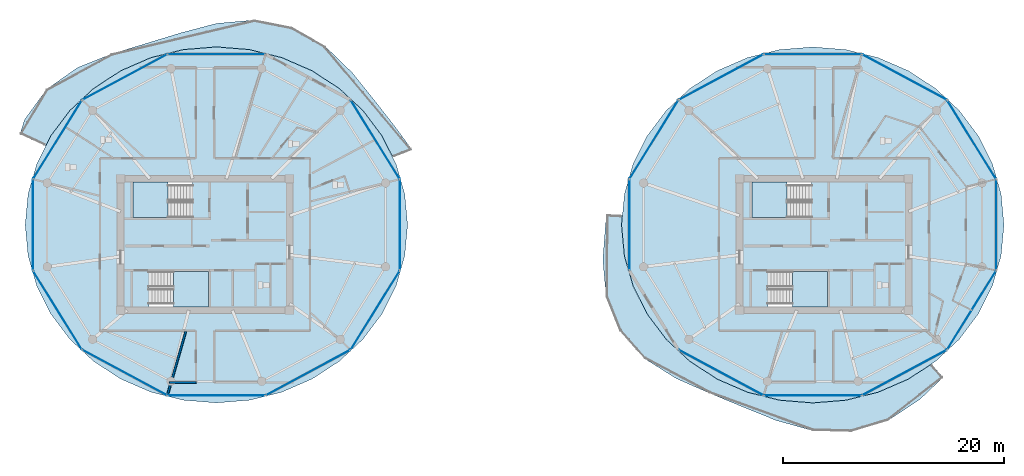
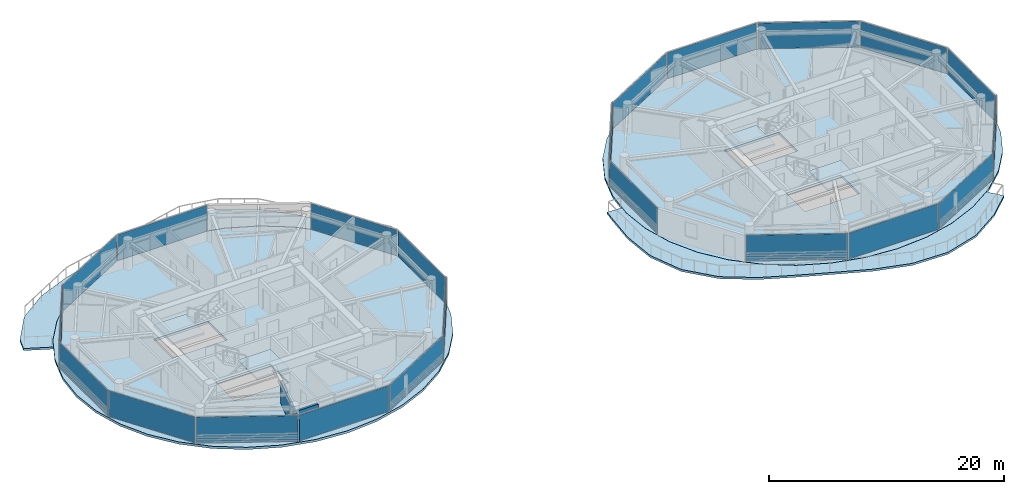
# One storey, part 11 of 21: 22 plates, 8 slabs, 2 walls, 26 elements without a shape of their own.
"""IFC4 building model written with IfcOpenShell, lengths in metres."""

from ifc_helpers import new_model, si_unit, direction, frame, frame_2d, origin, origin_2d, place, context, subcontext, project, spatial, polyline, rectangle, outline, extrude, source, transform, mapped, material, layer, layer_set, type_object, type_shapes, element, aggregate, save


model = new_model("IFC4")

# Units and contexts
model_context = context("Model", 3, precision=1e-05, world=origin(), true_north=direction((0.0, 1.0)))
body_context = subcontext(model_context, "Body", "Model", "MODEL_VIEW")
ifc_project = project(units=[si_unit("LENGTHUNIT", "METRE"), si_unit("AREAUNIT", "SQUARE_METRE"), si_unit("VOLUMEUNIT", "CUBIC_METRE"), si_unit("PLANEANGLEUNIT", "RADIAN"), si_unit("MASSUNIT", "GRAM", prefix="KILO")], contexts=[model_context])

# Site, building, storey
site_placement = place(None, origin())
site = spatial("IfcSite", under=ifc_project, at=site_placement, CompositionType="ELEMENT")
building_placement = place(site_placement, origin())
building = spatial("IfcBuilding", under=site, at=building_placement, Name="Norrkilde Senior Care Towers", CompositionType="ELEMENT")
storey_placement = place(building_placement, frame((0.0, 0.0, 146.5)))
storey = spatial("IfcBuildingStorey", under=building, at=storey_placement, Name="L45", CompositionType="ELEMENT", Elevation=146.5)

# Slabs
ifc_material_1 = material(Name="Concrete C50/60", Category="concrete")
ifc_layer_1 = layer(ifc_material_1, 0.215087890625)
ifc_layer_set_1 = layer_set([ifc_layer_1], Name="Concrete C50/60")
slab_type_1 = type_object("IfcSlabType", Name="Sinusoidal Balcony Ribbon Slab 215", PredefinedType="FLOOR", material=ifc_layer_set_1)
slab_1_placement = place(storey_placement, frame((0.0, 0.0, -0.215087890625)))
element("IfcSlab", 1, at=slab_1_placement, inside=storey, type_object=slab_type_1, Name="L45 Drum W Swirling Senior Balcony 1", PredefinedType="FLOOR", context=body_context, shape_type="SweptSolid", body=[
    extrude(outline(polyline([(-42.3466796875, 14.034912109375), (-39.566162109375, 15.992431640625), (-36.447265625, 17.2490234375), (-33.328857421875, 18.194091796875), (-30.22705078125, 19.141845703125), (-26.97509765625, 20.000244140625), (-23.53076171875, 20.3134765625), (-20.13134765625, 19.639892578125), (-17.1357421875, 17.931640625), (-14.7099609375, 15.57470703125), (-12.68505859375, 13.0595703125), (-10.75732421875, 10.591796875), (-9.269775390625, 8.560302734375), (-11.017822265625, 7.890380859375), (-11.988525390625, 9.827880859375), (-13.718505859375, 12.12744140625), (-15.8515625, 14.112548828125), (-18.322509765625, 15.72265625), (-21.056396484375, 16.9091796875), (-23.969970703125, 17.6357421875), (-26.97509765625, 17.88037109375), (-29.97998046875, 17.6357421875), (-32.8935546875, 16.9091796875), (-35.62744140625, 15.72265625), (-38.098388671875, 14.112548828125), (-40.2314453125, 12.12744140625), (-41.961669921875, 9.827880859375), (-42.4169921875, 8.9189453125), (-44.74267578125, 9.994873046875), (-44.333251953125, 11.29931640625), (-42.3466796875, 14.034912109375)])), origin(), (0.0, 0.0, 1.0), 0.215087890625),
])
slab_2_placement = place(storey_placement, frame((0.0, 0.0, -0.215087890625)))
element("IfcSlab", 2, at=slab_2_placement, inside=storey, type_object=slab_type_1, Name="L45 Drum E Swirling Senior Balcony 1", PredefinedType="FLOOR", context=body_context, shape_type="SweptSolid", body=[
    extrude(outline(polyline([(33.76416015625, -15.9287109375), (30.44677734375, -16.93017578125), (26.97509765625, -16.837158203125), (23.669677734375, -15.91552734375), (20.60986328125, -14.676513671875), (17.636962890625, -13.4482421875), (14.629638671875, -12.126708984375), (11.774169921875, -10.330078125), (9.528564453125, -7.803466796875), (8.275390625, -4.6865234375), (7.982177734375, -1.390869140625), (8.22119140625, 1.775390625), (8.32568359375, 2.702392578125), (9.75048828125, 2.631591796875), (9.669921875, 1.775390625), (9.932861328125, -1.021240234375), (10.713623046875, -3.73291015625), (11.988525390625, -6.277099609375), (13.718505859375, -8.57666015625), (15.8515625, -10.561767578125), (18.322509765625, -12.171875), (21.056396484375, -13.3583984375), (23.969970703125, -14.0849609375), (26.97509765625, -14.32958984375), (29.97998046875, -14.0849609375), (32.8935546875, -13.3583984375), (35.62744140625, -12.171875), (37.718994140625, -10.80908203125), (38.759521484375, -12.02783203125), (36.630859375, -14.03955078125), (33.76416015625, -15.9287109375)])), origin(), (0.0, 0.0, 1.0), 0.215087890625),
])

# Stair, slab
ifc_material_2 = material(Name="Concrete C45/55", Category="concrete")
stair_type = type_object("IfcStairType", Name="Core Protected Dogleg Stair Typical 3050", PredefinedType="HALF_TURN_STAIR", material=ifc_material_2)
stair_1_placement = place(storey_placement, origin())
stair_1 = element("IfcStair", 3, at=stair_1_placement, inside=storey, type_object=stair_type, Name="L45 Protected Core Stair W1", PredefinedType="HALF_TURN_STAIR")
ifc_layer_2 = layer(ifc_material_2, 0.199951171875)
ifc_layer_set_2 = layer_set([ifc_layer_2], Name="Concrete C45/55")
slab_type_2 = type_object("IfcSlabType", Name="Stair Landing Slab 200", PredefinedType="LANDING", material=ifc_layer_set_2)
slab_3_placement = place(storey_placement, frame((0.0, 0.0, 1.324951171875)))
slab_3 = element("IfcSlab", 4, at=slab_3_placement, type_object=slab_type_2, Name="ST-W1 landing 1", PredefinedType="LANDING", context=body_context, shape_type="SweptSolid", body=[
    extrude(outline(polyline([(-31.340087890625, 5.639892578125), (-34.5, 5.639892578125), (-34.5, 2.449951171875), (-31.340087890625, 2.449951171875), (-31.340087890625, 5.639892578125)])), origin(), (0.0, 0.0, 1.0), 0.199951171875),
])
aggregate(stair_1, [slab_3])

stair_2_placement = place(storey_placement, origin())
stair_2 = element("IfcStair", 5, at=stair_2_placement, inside=storey, type_object=stair_type, Name="L45 Protected Core Stair W2", PredefinedType="HALF_TURN_STAIR")
slab_4_placement = place(storey_placement, frame((0.0, 0.0, 1.324951171875)))
slab_4 = element("IfcSlab", 6, at=slab_4_placement, type_object=slab_type_2, Name="ST-W2 landing 1", PredefinedType="LANDING", context=body_context, shape_type="SweptSolid", body=[
    extrude(outline(polyline([(-30.860107421875, -5.639892578125), (-27.699951171875, -5.639892578125), (-27.699951171875, -2.449951171875), (-30.860107421875, -2.449951171875), (-30.860107421875, -5.639892578125)])), origin(), (0.0, 0.0, 1.0), 0.199951171875),
])
aggregate(stair_2, [slab_4])

stair_3_placement = place(storey_placement, origin())
stair_3 = element("IfcStair", 7, at=stair_3_placement, inside=storey, type_object=stair_type, Name="L45 Protected Core Stair E1", PredefinedType="HALF_TURN_STAIR")
slab_5_placement = place(storey_placement, frame((0.0, 0.0, 1.324951171875)))
slab_5 = element("IfcSlab", 8, at=slab_5_placement, type_object=slab_type_2, Name="ST-E1 landing 1", PredefinedType="LANDING", context=body_context, shape_type="SweptSolid", body=[
    extrude(outline(polyline([(24.659912109375, 5.639892578125), (21.5, 5.639892578125), (21.5, 2.449951171875), (24.659912109375, 2.449951171875), (24.659912109375, 5.639892578125)])), origin(), (0.0, 0.0, 1.0), 0.199951171875),
])
aggregate(stair_3, [slab_5])

stair_4_placement = place(storey_placement, origin())
stair_4 = element("IfcStair", 9, at=stair_4_placement, inside=storey, type_object=stair_type, Name="L45 Protected Core Stair E2", PredefinedType="HALF_TURN_STAIR")
slab_6_placement = place(storey_placement, frame((0.0, 0.0, 1.324951171875)))
slab_6 = element("IfcSlab", 10, at=slab_6_placement, type_object=slab_type_2, Name="ST-E2 landing 1", PredefinedType="LANDING", context=body_context, shape_type="SweptSolid", body=[
    extrude(outline(polyline([(25.139892578125, -5.639892578125), (28.300048828125, -5.639892578125), (28.300048828125, -2.449951171875), (25.139892578125, -2.449951171875), (25.139892578125, -5.639892578125)])), origin(), (0.0, 0.0, 1.0), 0.199951171875),
])
aggregate(stair_4, [slab_6])

# Slabs
ifc_layer_3 = layer(ifc_material_1, 0.239990234375)
ifc_layer_set_3 = layer_set([ifc_layer_3], Name="Concrete C50/60")
slab_type_3 = type_object("IfcSlabType", Name="Tower Residence Floor Slab 240", PredefinedType="FLOOR", material=ifc_layer_set_3)
slab_7_placement = place(storey_placement, frame((0.0, 0.0, -0.239990234375)))
element("IfcSlab", 11, at=slab_7_placement, inside=storey, type_object=slab_type_3, Name="L45 Drum W Structural Floor Slab", PredefinedType="FLOOR", context=body_context, shape_type="SweptSolid", body=[
    extrude(outline(polyline([(-10.71826171875, -3.731201171875), (-11.99267578125, -6.274658203125), (-13.722412109375, -8.573486328125), (-15.854736328125, -10.557861328125), (-18.324951171875, -12.167724609375), (-21.05810546875, -13.353759765625), (-23.970947265625, -14.080078125), (-26.97509765625, -14.32470703125), (-29.97900390625, -14.080078125), (-32.891845703125, -13.353759765625), (-35.625, -12.167724609375), (-38.09521484375, -10.557861328125), (-40.2275390625, -8.573486328125), (-41.957275390625, -6.274658203125), (-43.231689453125, -3.731201171875), (-44.01220703125, -1.020263671875), (-44.27490234375, 1.775390625), (-44.01220703125, 4.571044921875), (-43.231689453125, 7.281982421875), (-41.957275390625, 9.825439453125), (-40.2275390625, 12.124267578125), (-38.09521484375, 14.108642578125), (-35.625, 15.71826171875), (-32.891845703125, 16.904296875), (-29.97900390625, 17.630859375), (-26.97509765625, 17.875244140625), (-23.970947265625, 17.630859375), (-21.05810546875, 16.904296875), (-18.324951171875, 15.71826171875), (-15.854736328125, 14.108642578125), (-13.722412109375, 12.124267578125), (-11.99267578125, 9.825439453125), (-10.71826171875, 7.281982421875), (-9.937744140625, 4.571044921875), (-9.675048828125, 1.775390625), (-9.937744140625, -1.020263671875), (-10.71826171875, -3.731201171875)]), holes=[polyline([(-34.48193359375, 2.468017578125), (-29.117919921875, 2.468017578125), (-29.117919921875, 5.639892578125), (-34.48193359375, 5.639892578125), (-34.48193359375, 2.468017578125)]), polyline([(-27.718017578125, -5.639892578125), (-27.718017578125, -2.468017578125), (-33.08203125, -2.468017578125), (-33.08203125, -5.639892578125), (-27.718017578125, -5.639892578125)])]), origin(), (0.0, 0.0, 1.0), 0.239990234375),
])
slab_8_placement = place(storey_placement, frame((0.0, 0.0, -0.239990234375)))
element("IfcSlab", 12, at=slab_8_placement, inside=storey, type_object=slab_type_3, Name="L45 Drum E Structural Floor Slab", PredefinedType="FLOOR", context=body_context, shape_type="SweptSolid", body=[
    extrude(outline(polyline([(43.231689453125, -3.731201171875), (41.957275390625, -6.274658203125), (40.2275390625, -8.573486328125), (38.09521484375, -10.557861328125), (35.625, -12.167724609375), (32.891845703125, -13.353759765625), (29.97900390625, -14.080078125), (26.97509765625, -14.32470703125), (23.970947265625, -14.080078125), (21.05810546875, -13.353759765625), (18.324951171875, -12.167724609375), (15.854736328125, -10.557861328125), (13.722412109375, -8.573486328125), (11.99267578125, -6.274658203125), (10.71826171875, -3.731201171875), (9.937744140625, -1.020263671875), (9.675048828125, 1.775390625), (9.937744140625, 4.571044921875), (10.71826171875, 7.281982421875), (11.99267578125, 9.825439453125), (13.722412109375, 12.124267578125), (15.854736328125, 14.108642578125), (18.324951171875, 15.71826171875), (21.05810546875, 16.904296875), (23.970947265625, 17.630859375), (26.97509765625, 17.875244140625), (29.97900390625, 17.630859375), (32.891845703125, 16.904296875), (35.625, 15.71826171875), (38.09521484375, 14.108642578125), (40.2275390625, 12.124267578125), (41.957275390625, 9.825439453125), (43.231689453125, 7.281982421875), (44.01220703125, 4.571044921875), (44.27490234375, 1.775390625), (44.01220703125, -1.020263671875), (43.231689453125, -3.731201171875)]), holes=[polyline([(21.51806640625, 2.468017578125), (26.882080078125, 2.468017578125), (26.882080078125, 5.639892578125), (21.51806640625, 5.639892578125), (21.51806640625, 2.468017578125)]), polyline([(28.281982421875, -5.639892578125), (28.281982421875, -2.468017578125), (22.91796875, -2.468017578125), (22.91796875, -5.639892578125), (28.281982421875, -5.639892578125)])]), origin(), (0.0, 0.0, 1.0), 0.239990234375),
])

# Curtain wall, plate
ifc_material_3 = material(Name="Triple Low-E Insulated Glazing", Category="glass")
ifc_layer_4 = layer(ifc_material_3, 0.18994140625)
ifc_layer_set_4 = layer_set([ifc_layer_4], Name="Triple Low-E Insulated Glazing")
curtain_wall_type = type_object("IfcCurtainWallType", Name="CW4 Zone 3 Senior Residence Curtain Wall", PredefinedType="NOTDEFINED", material=ifc_layer_set_4)
curtain_wall_1_placement = place(storey_placement, origin())
curtain_wall_1 = element("IfcCurtainWall", 13, at=curtain_wall_1_placement, inside=storey, type_object=curtain_wall_type, Name="L45 Drum W Curtain Wall 00", PredefinedType="NOTDEFINED")
ifc_layer_5 = layer(ifc_material_3, 0.035888671875)
ifc_layer_set_5 = layer_set([ifc_layer_5], Name="Triple Low-E Insulated Glazing")
plate_type = type_object("IfcPlateType", Name="Triple Low-E Vision Curtain Panel 36", PredefinedType="CURTAIN_PANEL", material=ifc_layer_set_5)
shared_shape_1 = source(origin(), body_context, "Body", "SweptSolid", [
    extrude(rectangle(XDim=8.301513671875, YDim=0.035888671875, at=origin_2d()), origin(), (0.0, 0.0, 1.0), 2.68994140625),
])
plate_1_placement = place(storey_placement, frame((-12.603759765625, 9.4931640625, 0.06005859375), z_axis=(0.0, 0.0, 1.0), x_axis=(0.52737270789, -0.84963405474, 0.0)))
plate_1 = element("IfcPlate", 14, at=plate_1_placement, type_object=plate_type, Name="CW-4 panel 1.1", PredefinedType="CURTAIN_PANEL", context=body_context, shape_type="MappedRepresentation", body=[
    mapped(shared_shape_1, transform((0.0, 0.0, 0.0), x_axis=(1.0, 0.0, 0.0), y_axis=(0.0, 1.0, 0.0), z_axis=(0.0, 0.0, 1.0), scale=1.0)),
])
aggregate(curtain_wall_1, [plate_1])

curtain_wall_2_placement = place(storey_placement, origin())
curtain_wall_2 = element("IfcCurtainWall", 15, at=curtain_wall_2_placement, inside=storey, type_object=curtain_wall_type, Name="L45 Drum W Curtain Wall 04", PredefinedType="NOTDEFINED")
plate_2_placement = place(storey_placement, frame((-41.346435546875, 9.4931640625, 0.06005859375), z_axis=(0.0, 0.0, 1.0), x_axis=(0.52737270789, 0.84963405474, 0.0)))
plate_2 = element("IfcPlate", 16, at=plate_2_placement, type_object=plate_type, Name="CW-4 panel 1.1", PredefinedType="CURTAIN_PANEL", context=body_context, shape_type="MappedRepresentation", body=[
    mapped(shared_shape_1, transform((0.0, 0.0, 0.0), x_axis=(1.0, 0.0, 0.0), y_axis=(0.0, 1.0, 0.0), z_axis=(0.0, 0.0, 1.0), scale=1.0)),
])
aggregate(curtain_wall_2, [plate_2])

curtain_wall_3_placement = place(storey_placement, origin())
curtain_wall_3 = element("IfcCurtainWall", 17, at=curtain_wall_3_placement, inside=storey, type_object=curtain_wall_type, Name="L45 Drum W Curtain Wall 06", PredefinedType="NOTDEFINED")
plate_3_placement = place(storey_placement, frame((-41.346435546875, -5.9423828125, 0.06005859375), z_axis=(0.0, 0.0, 1.0), x_axis=(-0.52737270789, 0.84963405474, 0.0)))
plate_3 = element("IfcPlate", 18, at=plate_3_placement, type_object=plate_type, Name="CW-4 panel 1.1", PredefinedType="CURTAIN_PANEL", context=body_context, shape_type="MappedRepresentation", body=[
    mapped(shared_shape_1, transform((0.0, 0.0, 0.0), x_axis=(1.0, 0.0, 0.0), y_axis=(0.0, 1.0, 0.0), z_axis=(0.0, 0.0, 1.0), scale=1.0)),
])
aggregate(curtain_wall_3, [plate_3])

curtain_wall_4_placement = place(storey_placement, origin())
curtain_wall_4 = element("IfcCurtainWall", 19, at=curtain_wall_4_placement, inside=storey, type_object=curtain_wall_type, Name="L45 Drum W Curtain Wall 10", PredefinedType="NOTDEFINED")
plate_4_placement = place(storey_placement, frame((-12.603759765625, -5.9423828125, 0.06005859375), z_axis=(0.0, 0.0, 1.0), x_axis=(-0.52737270789, -0.84963405474, 0.0)))
plate_4 = element("IfcPlate", 20, at=plate_4_placement, type_object=plate_type, Name="CW-4 panel 1.1", PredefinedType="CURTAIN_PANEL", context=body_context, shape_type="MappedRepresentation", body=[
    mapped(shared_shape_1, transform((0.0, 0.0, 0.0), x_axis=(1.0, 0.0, 0.0), y_axis=(0.0, 1.0, 0.0), z_axis=(0.0, 0.0, 1.0), scale=1.0)),
])
aggregate(curtain_wall_4, [plate_4])

curtain_wall_5_placement = place(storey_placement, origin())
curtain_wall_5 = element("IfcCurtainWall", 21, at=curtain_wall_5_placement, inside=storey, type_object=curtain_wall_type, Name="L45 Drum E Curtain Wall 00", PredefinedType="NOTDEFINED")
plate_5_placement = place(storey_placement, frame((41.346435546875, 9.4931640625, 0.06005859375), z_axis=(0.0, 0.0, 1.0), x_axis=(0.52737270789, -0.84963405474, 0.0)))
plate_5 = element("IfcPlate", 22, at=plate_5_placement, type_object=plate_type, Name="CW-4 panel 1.1", PredefinedType="CURTAIN_PANEL", context=body_context, shape_type="MappedRepresentation", body=[
    mapped(shared_shape_1, transform((0.0, 0.0, 0.0), x_axis=(1.0, 0.0, 0.0), y_axis=(0.0, 1.0, 0.0), z_axis=(0.0, 0.0, 1.0), scale=1.0)),
])
aggregate(curtain_wall_5, [plate_5])

curtain_wall_6_placement = place(storey_placement, origin())
curtain_wall_6 = element("IfcCurtainWall", 23, at=curtain_wall_6_placement, inside=storey, type_object=curtain_wall_type, Name="L45 Drum E Curtain Wall 04", PredefinedType="NOTDEFINED")
plate_6_placement = place(storey_placement, frame((12.603759765625, 9.4931640625, 0.06005859375), z_axis=(0.0, 0.0, 1.0), x_axis=(0.52737270789, 0.84963405474, 0.0)))
plate_6 = element("IfcPlate", 24, at=plate_6_placement, type_object=plate_type, Name="CW-4 panel 1.1", PredefinedType="CURTAIN_PANEL", context=body_context, shape_type="MappedRepresentation", body=[
    mapped(shared_shape_1, transform((0.0, 0.0, 0.0), x_axis=(1.0, 0.0, 0.0), y_axis=(0.0, 1.0, 0.0), z_axis=(0.0, 0.0, 1.0), scale=1.0)),
])
aggregate(curtain_wall_6, [plate_6])

curtain_wall_7_placement = place(storey_placement, origin())
curtain_wall_7 = element("IfcCurtainWall", 25, at=curtain_wall_7_placement, inside=storey, type_object=curtain_wall_type, Name="L45 Drum E Curtain Wall 10", PredefinedType="NOTDEFINED")
plate_7_placement = place(storey_placement, frame((41.346435546875, -5.9423828125, 0.06005859375), z_axis=(0.0, 0.0, 1.0), x_axis=(-0.52737270789, -0.84963405474, 0.0)))
plate_7 = element("IfcPlate", 26, at=plate_7_placement, type_object=plate_type, Name="CW-4 panel 1.1", PredefinedType="CURTAIN_PANEL", context=body_context, shape_type="MappedRepresentation", body=[
    mapped(shared_shape_1, transform((0.0, 0.0, 0.0), x_axis=(1.0, 0.0, 0.0), y_axis=(0.0, 1.0, 0.0), z_axis=(0.0, 0.0, 1.0), scale=1.0)),
])
aggregate(curtain_wall_7, [plate_7])

curtain_wall_8_placement = place(storey_placement, origin())
curtain_wall_8 = element("IfcCurtainWall", 27, at=curtain_wall_8_placement, inside=storey, type_object=curtain_wall_type, Name="L45 Drum W Curtain Wall 03", PredefinedType="NOTDEFINED")
shared_shape_2 = source(origin(), body_context, "Body", "SweptSolid", [
    extrude(rectangle(XDim=8.61181640625, YDim=0.035888671875, at=origin_2d()), origin(), (0.0, 0.0, 1.0), 2.68994140625),
])
plate_8_placement = place(storey_placement, frame((-35.272216796875, 15.142822265625, 0.06005859375), z_axis=(0.0, 0.0, 1.0), x_axis=(0.880999524059, 0.47311715104, 0.0)))
plate_8 = element("IfcPlate", 28, at=plate_8_placement, type_object=plate_type, Name="CW-4 panel 1.1", PredefinedType="CURTAIN_PANEL", context=body_context, shape_type="MappedRepresentation", body=[
    mapped(shared_shape_2, transform((0.0, 0.0, 0.0), x_axis=(1.0, 0.0, 0.0), y_axis=(0.0, 1.0, 0.0), z_axis=(0.0, 0.0, 1.0), scale=1.0)),
])
aggregate(curtain_wall_8, [plate_8])

curtain_wall_9_placement = place(storey_placement, origin())
curtain_wall_9 = element("IfcCurtainWall", 29, at=curtain_wall_9_placement, inside=storey, type_object=curtain_wall_type, Name="L45 Drum W Curtain Wall 07", PredefinedType="NOTDEFINED")
plate_9_placement = place(storey_placement, frame((-35.272216796875, -11.59228515625, 0.06005859375), z_axis=(0.0, 0.0, 1.0), x_axis=(-0.880999524059, 0.47311715104, 0.0)))
plate_9 = element("IfcPlate", 30, at=plate_9_placement, type_object=plate_type, Name="CW-4 panel 1.1", PredefinedType="CURTAIN_PANEL", context=body_context, shape_type="MappedRepresentation", body=[
    mapped(shared_shape_2, transform((0.0, 0.0, 0.0), x_axis=(1.0, 0.0, 0.0), y_axis=(0.0, 1.0, 0.0), z_axis=(0.0, 0.0, 1.0), scale=1.0)),
])
aggregate(curtain_wall_9, [plate_9])

curtain_wall_10_placement = place(storey_placement, origin())
curtain_wall_10 = element("IfcCurtainWall", 31, at=curtain_wall_10_placement, inside=storey, type_object=curtain_wall_type, Name="L45 Drum W Curtain Wall 09", PredefinedType="NOTDEFINED")
plate_10_placement = place(storey_placement, frame((-18.677734375, -11.59228515625, 0.06005859375), z_axis=(0.0, 0.0, 1.0), x_axis=(-0.880999524059, -0.47311715104, 0.0)))
plate_10 = element("IfcPlate", 32, at=plate_10_placement, type_object=plate_type, Name="CW-4 panel 1.1", PredefinedType="CURTAIN_PANEL", context=body_context, shape_type="MappedRepresentation", body=[
    mapped(shared_shape_2, transform((0.0, 0.0, 0.0), x_axis=(1.0, 0.0, 0.0), y_axis=(0.0, 1.0, 0.0), z_axis=(0.0, 0.0, 1.0), scale=1.0)),
])
aggregate(curtain_wall_10, [plate_10])

curtain_wall_11_placement = place(storey_placement, origin())
curtain_wall_11 = element("IfcCurtainWall", 33, at=curtain_wall_11_placement, inside=storey, type_object=curtain_wall_type, Name="L45 Drum E Curtain Wall 01", PredefinedType="NOTDEFINED")
plate_11_placement = place(storey_placement, frame((35.272216796875, 15.142822265625, 0.06005859375), z_axis=(0.0, 0.0, 1.0), x_axis=(0.880999524059, -0.47311715104, 0.0)))
plate_11 = element("IfcPlate", 34, at=plate_11_placement, type_object=plate_type, Name="CW-4 panel 1.1", PredefinedType="CURTAIN_PANEL", context=body_context, shape_type="MappedRepresentation", body=[
    mapped(shared_shape_2, transform((0.0, 0.0, 0.0), x_axis=(1.0, 0.0, 0.0), y_axis=(0.0, 1.0, 0.0), z_axis=(0.0, 0.0, 1.0), scale=1.0)),
])
aggregate(curtain_wall_11, [plate_11])

curtain_wall_12_placement = place(storey_placement, origin())
curtain_wall_12 = element("IfcCurtainWall", 35, at=curtain_wall_12_placement, inside=storey, type_object=curtain_wall_type, Name="L45 Drum E Curtain Wall 03", PredefinedType="NOTDEFINED")
plate_12_placement = place(storey_placement, frame((18.677734375, 15.142822265625, 0.06005859375), z_axis=(0.0, 0.0, 1.0), x_axis=(0.880999524059, 0.47311715104, 0.0)))
plate_12 = element("IfcPlate", 36, at=plate_12_placement, type_object=plate_type, Name="CW-4 panel 1.1", PredefinedType="CURTAIN_PANEL", context=body_context, shape_type="MappedRepresentation", body=[
    mapped(shared_shape_2, transform((0.0, 0.0, 0.0), x_axis=(1.0, 0.0, 0.0), y_axis=(0.0, 1.0, 0.0), z_axis=(0.0, 0.0, 1.0), scale=1.0)),
])
aggregate(curtain_wall_12, [plate_12])

curtain_wall_13_placement = place(storey_placement, origin())
curtain_wall_13 = element("IfcCurtainWall", 37, at=curtain_wall_13_placement, inside=storey, type_object=curtain_wall_type, Name="L45 Drum E Curtain Wall 07", PredefinedType="NOTDEFINED")
plate_13_placement = place(storey_placement, frame((18.677734375, -11.59228515625, 0.06005859375), z_axis=(0.0, 0.0, 1.0), x_axis=(-0.880999524059, 0.47311715104, 0.0)))
plate_13 = element("IfcPlate", 38, at=plate_13_placement, type_object=plate_type, Name="CW-4 panel 1.1", PredefinedType="CURTAIN_PANEL", context=body_context, shape_type="MappedRepresentation", body=[
    mapped(shared_shape_2, transform((0.0, 0.0, 0.0), x_axis=(1.0, 0.0, 0.0), y_axis=(0.0, 1.0, 0.0), z_axis=(0.0, 0.0, 1.0), scale=1.0)),
])
aggregate(curtain_wall_13, [plate_13])

curtain_wall_14_placement = place(storey_placement, origin())
curtain_wall_14 = element("IfcCurtainWall", 39, at=curtain_wall_14_placement, inside=storey, type_object=curtain_wall_type, Name="L45 Drum E Curtain Wall 09", PredefinedType="NOTDEFINED")
plate_14_placement = place(storey_placement, frame((35.272216796875, -11.59228515625, 0.06005859375), z_axis=(0.0, 0.0, 1.0), x_axis=(-0.880999524059, -0.47311715104, 0.0)))
plate_14 = element("IfcPlate", 40, at=plate_14_placement, type_object=plate_type, Name="CW-4 panel 1.1", PredefinedType="CURTAIN_PANEL", context=body_context, shape_type="MappedRepresentation", body=[
    mapped(shared_shape_2, transform((0.0, 0.0, 0.0), x_axis=(1.0, 0.0, 0.0), y_axis=(0.0, 1.0, 0.0), z_axis=(0.0, 0.0, 1.0), scale=1.0)),
])
aggregate(curtain_wall_14, [plate_14])

curtain_wall_15_placement = place(storey_placement, origin())
curtain_wall_15 = element("IfcCurtainWall", 41, at=curtain_wall_15_placement, inside=storey, type_object=curtain_wall_type, Name="L45 Drum W Curtain Wall 02", PredefinedType="NOTDEFINED")
shared_shape_3 = source(origin(), body_context, "Body", "SweptSolid", [
    extrude(rectangle(XDim=8.762939453125, YDim=0.035888671875, at=origin_2d()), origin(), (0.0, 0.0, 1.0), 2.68994140625),
])
plate_15_placement = place(storey_placement, frame((-26.97509765625, 17.2109375, 0.06005859375), z_axis=(0.0, 0.0, 1.0), x_axis=(1.0, 0.0, 0.0)))
plate_15 = element("IfcPlate", 42, at=plate_15_placement, type_object=plate_type, Name="CW-4 panel 1.1", PredefinedType="CURTAIN_PANEL", context=body_context, shape_type="MappedRepresentation", body=[
    mapped(shared_shape_3, transform((0.0, 0.0, 0.0), x_axis=(1.0, 0.0, 0.0), y_axis=(0.0, 1.0, 0.0), z_axis=(0.0, 0.0, 1.0), scale=1.0)),
])
aggregate(curtain_wall_15, [plate_15])

curtain_wall_16_placement = place(storey_placement, origin())
curtain_wall_16 = element("IfcCurtainWall", 43, at=curtain_wall_16_placement, inside=storey, type_object=curtain_wall_type, Name="L45 Drum W Curtain Wall 08", PredefinedType="NOTDEFINED")
plate_16_placement = place(storey_placement, frame((-26.97509765625, -13.66015625, 0.06005859375), z_axis=(0.0, 0.0, 1.0), x_axis=(-1.0, 0.0, 0.0)))
plate_16 = element("IfcPlate", 44, at=plate_16_placement, type_object=plate_type, Name="CW-4 panel 1.1", PredefinedType="CURTAIN_PANEL", context=body_context, shape_type="MappedRepresentation", body=[
    mapped(shared_shape_3, transform((0.0, 0.0, 0.0), x_axis=(1.0, 0.0, 0.0), y_axis=(0.0, 1.0, 0.0), z_axis=(0.0, 0.0, 1.0), scale=1.0)),
])
aggregate(curtain_wall_16, [plate_16])

curtain_wall_17_placement = place(storey_placement, origin())
curtain_wall_17 = element("IfcCurtainWall", 45, at=curtain_wall_17_placement, inside=storey, type_object=curtain_wall_type, Name="L45 Drum E Curtain Wall 02", PredefinedType="NOTDEFINED")
plate_17_placement = place(storey_placement, frame((26.97509765625, 17.2109375, 0.06005859375), z_axis=(0.0, 0.0, 1.0), x_axis=(1.0, 0.0, 0.0)))
plate_17 = element("IfcPlate", 46, at=plate_17_placement, type_object=plate_type, Name="CW-4 panel 1.1", PredefinedType="CURTAIN_PANEL", context=body_context, shape_type="MappedRepresentation", body=[
    mapped(shared_shape_3, transform((0.0, 0.0, 0.0), x_axis=(1.0, 0.0, 0.0), y_axis=(0.0, 1.0, 0.0), z_axis=(0.0, 0.0, 1.0), scale=1.0)),
])
aggregate(curtain_wall_17, [plate_17])

curtain_wall_18_placement = place(storey_placement, origin())
curtain_wall_18 = element("IfcCurtainWall", 47, at=curtain_wall_18_placement, inside=storey, type_object=curtain_wall_type, Name="L45 Drum E Curtain Wall 08", PredefinedType="NOTDEFINED")
plate_18_placement = place(storey_placement, frame((26.97509765625, -13.66015625, 0.06005859375), z_axis=(0.0, 0.0, 1.0), x_axis=(-1.0, 0.0, 0.0)))
plate_18 = element("IfcPlate", 48, at=plate_18_placement, type_object=plate_type, Name="CW-4 panel 1.1", PredefinedType="CURTAIN_PANEL", context=body_context, shape_type="MappedRepresentation", body=[
    mapped(shared_shape_3, transform((0.0, 0.0, 0.0), x_axis=(1.0, 0.0, 0.0), y_axis=(0.0, 1.0, 0.0), z_axis=(0.0, 0.0, 1.0), scale=1.0)),
])
aggregate(curtain_wall_18, [plate_18])

curtain_wall_19_placement = place(storey_placement, origin())
curtain_wall_19 = element("IfcCurtainWall", 49, at=curtain_wall_19_placement, inside=storey, type_object=curtain_wall_type, Name="L45 Drum W Curtain Wall 05", PredefinedType="NOTDEFINED")
shared_shape_4 = source(origin(), body_context, "Body", "SweptSolid", [
    extrude(rectangle(XDim=8.141845703125, YDim=0.035888671875, at=origin_2d()), origin(), (0.0, 0.0, 1.0), 2.68994140625),
])
type_shapes(plate_type, [shared_shape_1, shared_shape_2, shared_shape_3, shared_shape_4])
plate_19_placement = place(storey_placement, frame((-43.569580078125, 1.775390625, 0.06005859375), z_axis=(0.0, 0.0, 1.0), x_axis=(0.0, 1.0, 0.0)))
plate_19 = element("IfcPlate", 50, at=plate_19_placement, type_object=plate_type, Name="CW-4 panel 1.1", PredefinedType="CURTAIN_PANEL", context=body_context, shape_type="MappedRepresentation", body=[
    mapped(shared_shape_4, transform((0.0, 0.0, 0.0), x_axis=(1.0, 0.0, 0.0), y_axis=(0.0, 1.0, 0.0), z_axis=(0.0, 0.0, 1.0), scale=1.0)),
])
aggregate(curtain_wall_19, [plate_19])

curtain_wall_20_placement = place(storey_placement, origin())
curtain_wall_20 = element("IfcCurtainWall", 51, at=curtain_wall_20_placement, inside=storey, type_object=curtain_wall_type, Name="L45 Drum W Curtain Wall 11", PredefinedType="NOTDEFINED")
plate_20_placement = place(storey_placement, frame((-10.38037109375, 1.775390625, 0.06005859375), z_axis=(0.0, 0.0, 1.0), x_axis=(0.0, -1.0, 0.0)))
plate_20 = element("IfcPlate", 52, at=plate_20_placement, type_object=plate_type, Name="CW-4 panel 1.1", PredefinedType="CURTAIN_PANEL", context=body_context, shape_type="MappedRepresentation", body=[
    mapped(shared_shape_4, transform((0.0, 0.0, 0.0), x_axis=(1.0, 0.0, 0.0), y_axis=(0.0, 1.0, 0.0), z_axis=(0.0, 0.0, 1.0), scale=1.0)),
])
aggregate(curtain_wall_20, [plate_20])

curtain_wall_21_placement = place(storey_placement, origin())
curtain_wall_21 = element("IfcCurtainWall", 53, at=curtain_wall_21_placement, inside=storey, type_object=curtain_wall_type, Name="L45 Drum E Curtain Wall 05", PredefinedType="NOTDEFINED")
plate_21_placement = place(storey_placement, frame((10.38037109375, 1.775390625, 0.06005859375), z_axis=(0.0, 0.0, 1.0), x_axis=(0.0, 1.0, 0.0)))
plate_21 = element("IfcPlate", 54, at=plate_21_placement, type_object=plate_type, Name="CW-4 panel 1.1", PredefinedType="CURTAIN_PANEL", context=body_context, shape_type="MappedRepresentation", body=[
    mapped(shared_shape_4, transform((0.0, 0.0, 0.0), x_axis=(1.0, 0.0, 0.0), y_axis=(0.0, 1.0, 0.0), z_axis=(0.0, 0.0, 1.0), scale=1.0)),
])
aggregate(curtain_wall_21, [plate_21])

curtain_wall_22_placement = place(storey_placement, origin())
curtain_wall_22 = element("IfcCurtainWall", 55, at=curtain_wall_22_placement, inside=storey, type_object=curtain_wall_type, Name="L45 Drum E Curtain Wall 11", PredefinedType="NOTDEFINED")
plate_22_placement = place(storey_placement, frame((43.569580078125, 1.775390625, 0.06005859375), z_axis=(0.0, 0.0, 1.0), x_axis=(0.0, -1.0, 0.0)))
plate_22 = element("IfcPlate", 56, at=plate_22_placement, type_object=plate_type, Name="CW-4 panel 1.1", PredefinedType="CURTAIN_PANEL", context=body_context, shape_type="MappedRepresentation", body=[
    mapped(shared_shape_4, transform((0.0, 0.0, 0.0), x_axis=(1.0, 0.0, 0.0), y_axis=(0.0, 1.0, 0.0), z_axis=(0.0, 0.0, 1.0), scale=1.0)),
])
aggregate(curtain_wall_22, [plate_22])

# Walls
ifc_material_4 = material(Name="Gypsum Acoustic Board")
ifc_layer_6 = layer(ifc_material_4, 0.1650390625)
ifc_layer_set_6 = layer_set([ifc_layer_6], Name="Gypsum Acoustic Board")
wall_type = type_object("IfcWallType", Name="Corridor Rated Partition 165", PredefinedType="PARTITIONING", material=ifc_layer_set_6)
shared_shape_5 = source(origin(), body_context, "Body", "SweptSolid", [
    extrude(rectangle(XDim=6.035400390625, YDim=0.1650390625, at=frame_2d((3.017578125, 0.0))), origin(), (0.0, 0.0, 1.0), 2.344970703125),
])
wall_1_placement = place(storey_placement, frame((-29.756103515625, -7.8798828125, 0.0), z_axis=(0.0, 0.0, 1.0), x_axis=(-0.276809454862, -0.960924828329, 0.0)))
element("IfcWall", 57, at=wall_1_placement, inside=storey, type_object=wall_type, Name="WL-INT-L45-W-DEM-08-0", PredefinedType="PARTITIONING", context=body_context, shape_type="MappedRepresentation", body=[
    mapped(shared_shape_5, transform((0.0, 0.0, 0.0), x_axis=(1.0, 0.0, 0.0), y_axis=(0.0, 1.0, 0.0), z_axis=(0.0, 0.0, 1.0), scale=1.0)),
])
shared_shape_6 = source(origin(), body_context, "Body", "SweptSolid", [
    extrude(rectangle(XDim=2.418701171875, YDim=0.1650390625, at=frame_2d((1.20947265625, 0.0))), origin(), (0.0, 0.0, 1.0), 2.344970703125),
])
type_shapes(wall_type, [shared_shape_5, shared_shape_6])
wall_2_placement = place(storey_placement, frame((-31.23876953125, -12.484619140625, 0.0), z_axis=(0.0, 0.0, 1.0), x_axis=(1.0, 0.0, 0.0)))
element("IfcWall", 58, at=wall_2_placement, inside=storey, type_object=wall_type, Name="WL-INT-L45-W-PKH-SWL-0", PredefinedType="PARTITIONING", context=body_context, shape_type="MappedRepresentation", body=[
    mapped(shared_shape_6, transform((0.0, 0.0, 0.0), x_axis=(1.0, 0.0, 0.0), y_axis=(0.0, 1.0, 0.0), z_axis=(0.0, 0.0, 1.0), scale=1.0)),
])

save(model, "model.ifc")
